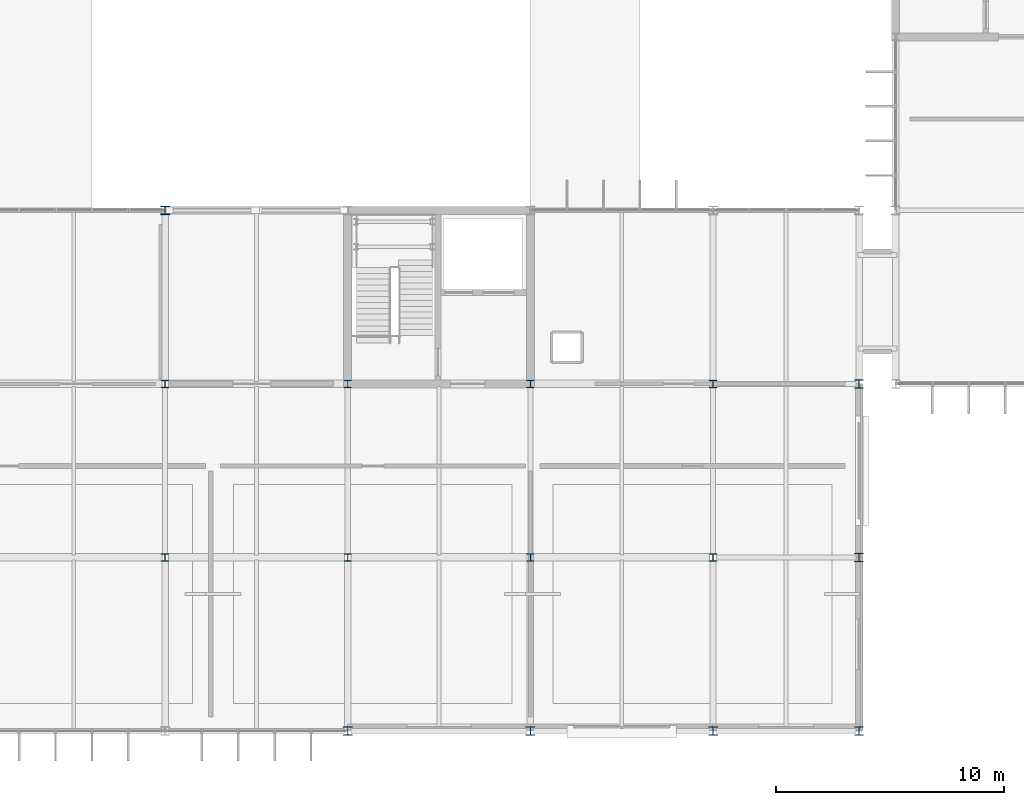
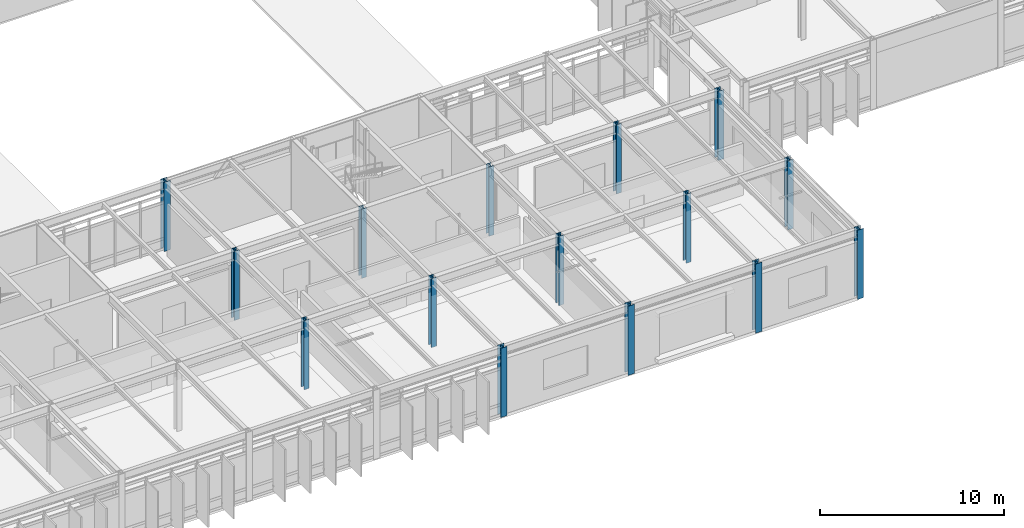
# One storey, part 3 of 100: 15 columns.
"""IFC4 building model written with IfcOpenShell, lengths in metres."""

from ifc_helpers import new_model, si_unit, direction, frame, origin, origin_2d, place, context, subcontext, project, spatial, i_section, extrude, material, material_profile, profile_set, type_object, element, save


model = new_model("IFC4")

# Units and contexts
model_context = context("Model", 3, precision=1e-05, world=origin(), true_north=direction((0.0, 1.0)))
body_context = subcontext(model_context, "Body", "Model", "MODEL_VIEW")
ifc_project = project(units=[si_unit("LENGTHUNIT", "METRE"), si_unit("AREAUNIT", "SQUARE_METRE"), si_unit("VOLUMEUNIT", "CUBIC_METRE"), si_unit("PLANEANGLEUNIT", "RADIAN"), si_unit("MASSUNIT", "GRAM", prefix="KILO")], contexts=[model_context])

# Site, building, storey
site_placement = place(None, origin())
site = spatial("IfcSite", under=ifc_project, at=site_placement, CompositionType="ELEMENT")
building_placement = place(site_placement, origin())
building = spatial("IfcBuilding", under=site, at=building_placement, Name="Zulena Civic Courthouse", CompositionType="ELEMENT")
storey_placement = place(building_placement, frame((0.0, 0.0, 20.39990234375)))
storey = spatial("IfcBuildingStorey", under=building, at=storey_placement, Name="L04", CompositionType="ELEMENT", Elevation=20.39990234375)

# Columns
ifc_material = material(Name="Steel ASTM A992 Grade 50", Category="steel")
ifc_material_profile_1 = material_profile(ifc_material, i_section(OverallWidth=0.31298828125, OverallDepth=0.3330078125, WebThickness=0.01806640625, FlangeThickness=0.0283203125, FilletRadius=0.01513671875, at=origin_2d()), Name="W12X120")
ifc_profile_set_1 = profile_set([ifc_material_profile_1], Name="Steel ASTM A992 Grade 50")
column_type_1 = type_object("IfcColumnType", Name="Col_W12X120", PredefinedType="COLUMN", material=ifc_profile_set_1)
for number, where, z_axis, x_axis, name in (
    (1, (36.0, 7.60009765625, 0.0), (0.0, 0.0, 1.0), (1.0, 0.0, 0.0), "col:V2:L04:36.0:7.6"),
    (2, (36.0, 15.199951171875, 0.0), (0.0, 0.0, 1.0), (1.0, 0.0, 0.0), "col:V2:L04:36.0:15.2"),
    (3, (44.0, 7.60009765625, 0.0), (0.0, 0.0, 1.0), (1.0, 0.0, 0.0), "col:V2:L04:44.0:7.6"),
    (4, (44.0, 15.199951171875, 0.0), (0.0, 0.0, 1.0), (1.0, 0.0, 0.0), "col:V2:L04:44.0:15.2"),
    (5, (52.0, 7.60009765625, 0.0), (0.0, 0.0, 1.0), (1.0, 0.0, 0.0), "col:V2:L04:52.0:7.6"),
    (6, (52.0, 15.199951171875, 0.0), (0.0, 0.0, 1.0), (1.0, 0.0, 0.0), "col:V2:L04:52.0:15.2"),
    (7, (60.0, 7.60009765625, 0.0), (0.0, 0.0, 1.0), (1.0, 0.0, 0.0), "col:V2:L04:60.0:7.6"),
    (8, (60.0, 15.199951171875, 0.0), (0.0, 0.0, 1.0), (1.0, 0.0, 0.0), "col:V2:L04:60.0:15.2"),
):
    element("IfcColumn", number, at=place(storey_placement, frame(where, z_axis=z_axis, x_axis=x_axis)), inside=storey, type_object=column_type_1, Name=name, PredefinedType="COLUMN", context=body_context, shape_type="SweptSolid", body=[
        extrude(i_section(OverallWidth=0.31298828125, OverallDepth=0.3330078125, WebThickness=0.01806640625, FlangeThickness=0.0283203125, FilletRadius=0.01513671875, at=origin_2d()), origin(), (0.0, 0.0, 1.0), 4.59521484375),
    ])
ifc_material_profile_2 = material_profile(ifc_material, i_section(OverallWidth=0.373046875, OverallDepth=0.367919921875, WebThickness=0.014892578125, FlangeThickness=0.02392578125, FilletRadius=0.01513671875, at=origin_2d()), Name="W14X120")
ifc_profile_set_2 = profile_set([ifc_material_profile_2], Name="Steel ASTM A992 Grade 50")
column_type_2 = type_object("IfcColumnType", Name="Col_W14X120", PredefinedType="COLUMN", material=ifc_profile_set_2)
for number, where, z_axis, x_axis, name in (
    (9, (66.39990234375, 0.0, 0.0), (0.0, 0.0, 1.0), (1.0, 0.0, 0.0), "col:V2:L04:66.4:0.0"),
    (10, (66.39990234375, 7.60009765625, 0.0), (0.0, 0.0, 1.0), (1.0, 0.0, 0.0), "col:V2:L04:66.4:7.6"),
    (11, (66.39990234375, 15.199951171875, 0.0), (0.0, 0.0, 1.0), (1.0, 0.0, 0.0), "col:V2:L04:66.4:15.2"),
):
    element("IfcColumn", number, at=place(storey_placement, frame(where, z_axis=z_axis, x_axis=x_axis)), inside=storey, type_object=column_type_2, Name=name, PredefinedType="COLUMN", context=body_context, shape_type="SweptSolid", body=[
        extrude(i_section(OverallWidth=0.373046875, OverallDepth=0.367919921875, WebThickness=0.014892578125, FlangeThickness=0.02392578125, FilletRadius=0.01513671875, at=origin_2d()), origin(), (0.0, 0.0, 1.0), 4.59521484375),
    ])
ifc_material_profile_3 = material_profile(ifc_material, i_section(OverallWidth=0.39404296875, OverallDepth=0.3759765625, WebThickness=0.017333984375, FlangeThickness=0.027587890625, FilletRadius=0.01513671875, at=origin_2d()), Name="W14X145")
ifc_profile_set_3 = profile_set([ifc_material_profile_3], Name="Steel ASTM A992 Grade 50")
column_type_3 = type_object("IfcColumnType", Name="Col_W14X145", PredefinedType="COLUMN", material=ifc_profile_set_3)
for number, where, z_axis, x_axis, name in (
    (12, (36.0, 22.800048828125, 0.0), (0.0, 0.0, 1.0), (1.0, 0.0, 0.0), "col:V2:L04:36.0:22.8"),
    (13, (44.0, 0.0, 0.0), (0.0, 0.0, 1.0), (1.0, 0.0, 0.0), "col:V2:L04:44.0:0.0"),
    (14, (52.0, 0.0, 0.0), (0.0, 0.0, 1.0), (1.0, 0.0, 0.0), "col:V2:L04:52.0:0.0"),
    (15, (60.0, 0.0, 0.0), (0.0, 0.0, 1.0), (1.0, 0.0, 0.0), "col:V2:L04:60.0:0.0"),
):
    element("IfcColumn", number, at=place(storey_placement, frame(where, z_axis=z_axis, x_axis=x_axis)), inside=storey, type_object=column_type_3, Name=name, PredefinedType="COLUMN", context=body_context, shape_type="SweptSolid", body=[
        extrude(i_section(OverallWidth=0.39404296875, OverallDepth=0.3759765625, WebThickness=0.017333984375, FlangeThickness=0.027587890625, FilletRadius=0.01513671875, at=origin_2d()), origin(), (0.0, 0.0, 1.0), 4.59521484375),
    ])

save(model, "model.ifc")
